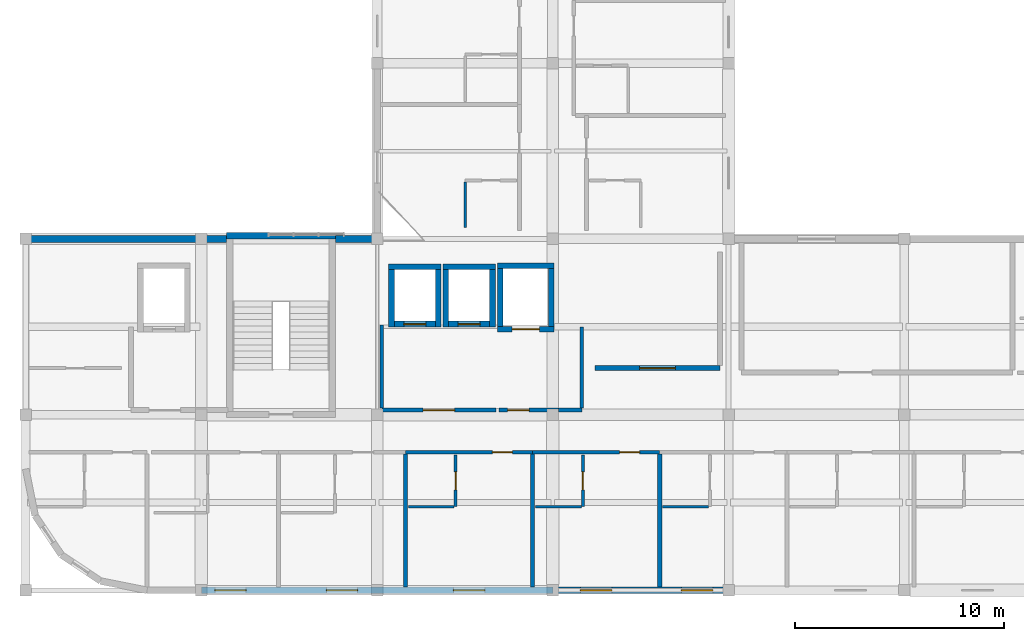
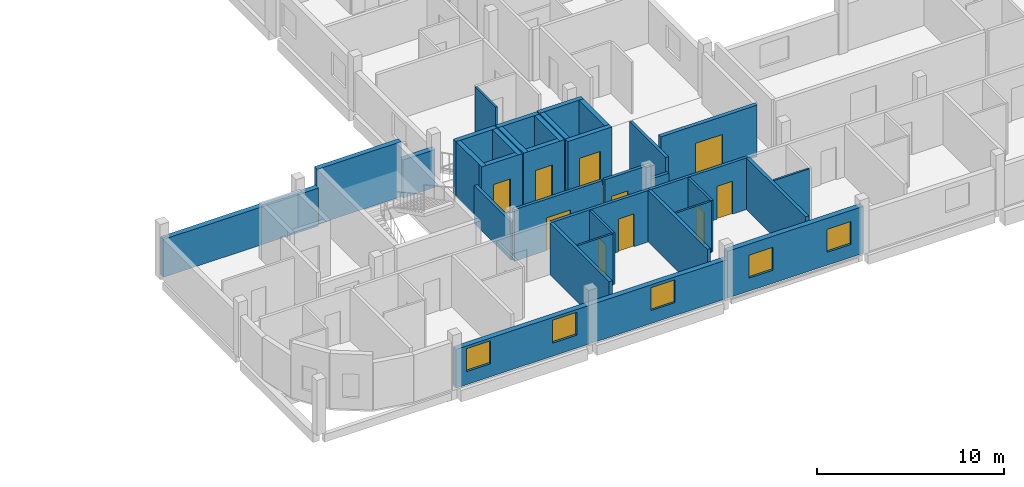
# One storey, part 10 of 20: 34 walls, 10 doors, 5 windows, 15 openings.
"""IFC4 building model written with IfcOpenShell, lengths in metres."""

from ifc_helpers import new_model, si_unit, derived_unit, direction, frame, frame_2d, origin, place, context, subcontext, project, spatial, rectangle, extrude, material, layer, layer_set, type_object, element, fill, save


model = new_model("IFC4")

# Units and contexts
model_context = context("Model", 3, precision=1e-05, world=origin(), true_north=direction((0.0, 1.0)))
body_context = subcontext(model_context, "Body", "Model", "MODEL_VIEW")
ifc_project = project(units=[si_unit("LENGTHUNIT", "METRE"), si_unit("AREAUNIT", "SQUARE_METRE"), si_unit("VOLUMEUNIT", "CUBIC_METRE"), si_unit("PLANEANGLEUNIT", "RADIAN"), si_unit("MASSUNIT", "GRAM", prefix="KILO"), derived_unit("THERMALTRANSMITTANCEUNIT", [(si_unit("POWERUNIT", "WATT"), 1), (si_unit("LENGTHUNIT", "METRE"), -2), (si_unit("THERMODYNAMICTEMPERATUREUNIT", "KELVIN"), -1)])], contexts=[model_context])

# Site, building, storey
site_placement = place(None, origin())
site = spatial("IfcSite", under=ifc_project, at=site_placement, CompositionType="ELEMENT")
building_placement = place(site_placement, origin())
building = spatial("IfcBuilding", under=site, at=building_placement, Name="Barrovel Congress Hotel", CompositionType="ELEMENT")
storey_placement = place(building_placement, frame((0.0, 0.0, 36.300048828125)))
storey = spatial("IfcBuildingStorey", under=building, at=storey_placement, Name="L09", CompositionType="ELEMENT", Elevation=36.300048828125)

# Walls
ifc_material_1 = material(Name="Fired Clay Brick Masonry", Category="masonry")
ifc_layer_1 = layer(ifc_material_1, 0.320068359375)
ifc_layer_set_1 = layer_set([ifc_layer_1], Name="Fired Clay Brick Masonry")
wall_type_1 = type_object("IfcWallType", Name="EW-BRK320", PredefinedType="STANDARD", material=ifc_layer_set_1)
wall_1_placement = place(storey_placement, frame((33.60009765625, 21.0, 0.0), z_axis=(0.0, 0.0, 1.0), x_axis=(-1.0, 0.0, 0.0)))
element("IfcWall", 1, at=wall_1_placement, inside=storey, type_object=wall_type_1, Name="EW:L09:HS-NW-1", PredefinedType="STANDARD", context=body_context, shape_type="SweptSolid", body=[
    extrude(rectangle(XDim=2.0, YDim=0.320068359375, at=frame_2d((1.0, 0.0))), origin(), (0.0, 0.0, 1.0), 2.47998046875),
])
wall_2_placement = place(storey_placement, frame((26.39990234375, 21.0, 0.0), z_axis=(0.0, 0.0, 1.0), x_axis=(-1.0, 0.0, 0.0)))
element("IfcWall", 2, at=wall_2_placement, inside=storey, type_object=wall_type_1, Name="EW:L09:HS-NW-2", PredefinedType="STANDARD", context=body_context, shape_type="SweptSolid", body=[
    extrude(rectangle(XDim=9.599853515625, YDim=0.320068359375, at=frame_2d((4.7998046875, 0.0))), origin(), (0.0, 0.0, 1.0), 2.47998046875),
])

# Wall, openings, windows
wall_3_placement = place(storey_placement, frame((25.199951171875, 4.199951171875, 0.0), z_axis=(0.0, 0.0, 1.0), x_axis=(1.0, 0.0, 0.0)))
wall_3 = element("IfcWall", 3, at=wall_3_placement, inside=storey, type_object=wall_type_1, Name="EW:L09:HS-S:P02", PredefinedType="STANDARD", context=body_context, shape_type="SweptSolid", body=[
    extrude(rectangle(XDim=16.800048828125, YDim=0.320068359375, at=frame_2d((8.39990234375, 0.0))), origin(), (0.0, 0.0, 1.0), 2.530029296875),
])
opening_1_placement = place(wall_3_placement, frame((0.638427734375, 0.0, 0.85009765625)))
opening_1 = element("IfcOpeningElement", 4, at=opening_1_placement, cuts=wall_3, Name="Opening WN-07", PredefinedType="OPENING", context=body_context, shape_type="SweptSolid", body=[
    extrude(rectangle(XDim=1.5, YDim=1.5, at=frame_2d((0.75, 0.75))), frame((0.0, 0.169921875, 0.0), z_axis=(0.0, -1.0, 0.0), x_axis=(1.0, 0.0, 0.0)), (0.0, 0.0, 1.0), 0.340087890625),
])
opening_2_placement = place(wall_3_placement, frame((5.96533203125, 0.0, 0.85009765625)))
opening_2 = element("IfcOpeningElement", 5, at=opening_2_placement, cuts=wall_3, Name="Opening WN-07", PredefinedType="OPENING", context=body_context, shape_type="SweptSolid", body=[
    extrude(rectangle(XDim=1.5, YDim=1.5, at=frame_2d((0.75, 0.75))), frame((0.0, 0.169921875, 0.0), z_axis=(0.0, -1.0, 0.0), x_axis=(1.0, 0.0, 0.0)), (0.0, 0.0, 1.0), 0.340087890625),
])
opening_3_placement = place(wall_3_placement, frame((12.042236328125, 0.0, 0.85009765625)))
opening_3 = element("IfcOpeningElement", 6, at=opening_3_placement, cuts=wall_3, Name="Opening WN-07", PredefinedType="OPENING", context=body_context, shape_type="SweptSolid", body=[
    extrude(rectangle(XDim=1.5, YDim=1.5, at=frame_2d((0.75, 0.75))), frame((0.0, 0.169921875, 0.0), z_axis=(0.0, -1.0, 0.0), x_axis=(1.0, 0.0, 0.0)), (0.0, 0.0, 1.0), 0.340087890625),
])
ifc_material_2 = material(Name="Double Low-E Insulated Glazing", Category="glass")
window_type = type_object("IfcWindowType", Name="WIN-WN-07", PartitioningType="SINGLE_PANEL", PredefinedType="WINDOW", material=ifc_material_2)
window_1_placement = place(opening_1_placement, origin())
window_1 = element("IfcWindow", 7, at=window_1_placement, inside=storey, type_object=window_type, Name="WIN:L09:U02", OverallHeight=1.5, OverallWidth=1.5, PartitioningType="SINGLE_PANEL", PredefinedType="WINDOW", context=body_context, shape_type="SweptSolid", body=[
    extrude(rectangle(XDim=1.5, YDim=1.5, at=frame_2d((0.75, 0.75))), frame((0.0, 0.030029296875, 0.0), z_axis=(0.0, -1.0, 0.0), x_axis=(1.0, 0.0, 0.0)), (0.0, 0.0, 1.0), 0.06005859375),
])
fill(opening_1, window_1)
window_2_placement = place(opening_2_placement, origin())
window_2 = element("IfcWindow", 8, at=window_2_placement, inside=storey, type_object=window_type, Name="WIN:L09:U03", OverallHeight=1.5, OverallWidth=1.5, PartitioningType="SINGLE_PANEL", PredefinedType="WINDOW", context=body_context, shape_type="SweptSolid", body=[
    extrude(rectangle(XDim=1.5, YDim=1.5, at=frame_2d((0.75, 0.75))), frame((0.0, 0.030029296875, 0.0), z_axis=(0.0, -1.0, 0.0), x_axis=(1.0, 0.0, 0.0)), (0.0, 0.0, 1.0), 0.06005859375),
])
fill(opening_2, window_2)
window_3_placement = place(opening_3_placement, origin())
window_3 = element("IfcWindow", 9, at=window_3_placement, inside=storey, type_object=window_type, Name="WIN:L09:U04", OverallHeight=1.5, OverallWidth=1.5, PartitioningType="SINGLE_PANEL", PredefinedType="WINDOW", context=body_context, shape_type="SweptSolid", body=[
    extrude(rectangle(XDim=1.5, YDim=1.5, at=frame_2d((0.75, 0.75))), frame((0.0, 0.030029296875, 0.0), z_axis=(0.0, -1.0, 0.0), x_axis=(1.0, 0.0, 0.0)), (0.0, 0.0, 1.0), 0.06005859375),
])
fill(opening_3, window_3)

wall_4_placement = place(storey_placement, frame((42.0, 4.199951171875, 0.0), z_axis=(0.0, 0.0, 1.0), x_axis=(1.0, 0.0, 0.0)))
wall_4 = element("IfcWall", 10, at=wall_4_placement, inside=storey, type_object=wall_type_1, Name="EW:L09:HS-S:P03", PredefinedType="STANDARD", context=body_context, shape_type="SweptSolid", body=[
    extrude(rectangle(XDim=8.39990234375, YDim=0.320068359375, at=frame_2d((4.199951171875, 0.0))), origin(), (0.0, 0.0, 1.0), 3.070068359375),
])
opening_4_placement = place(wall_4_placement, frame((1.319091796875, 0.0, 0.85009765625)))
opening_4 = element("IfcOpeningElement", 11, at=opening_4_placement, cuts=wall_4, Name="Opening WN-07", PredefinedType="OPENING", context=body_context, shape_type="SweptSolid", body=[
    extrude(rectangle(XDim=1.5, YDim=1.5, at=frame_2d((0.75, 0.75))), frame((0.0, 0.169921875, 0.0), z_axis=(0.0, -1.0, 0.0), x_axis=(1.0, 0.0, 0.0)), (0.0, 0.0, 1.0), 0.340087890625),
])
opening_5_placement = place(wall_4_placement, frame((6.146240234375, 0.0, 0.85009765625)))
opening_5 = element("IfcOpeningElement", 12, at=opening_5_placement, cuts=wall_4, Name="Opening WN-07", PredefinedType="OPENING", context=body_context, shape_type="SweptSolid", body=[
    extrude(rectangle(XDim=1.5, YDim=1.5, at=frame_2d((0.75, 0.75))), frame((0.0, 0.169921875, 0.0), z_axis=(0.0, -1.0, 0.0), x_axis=(1.0, 0.0, 0.0)), (0.0, 0.0, 1.0), 0.340087890625),
])
window_4_placement = place(opening_4_placement, origin())
window_4 = element("IfcWindow", 13, at=window_4_placement, inside=storey, type_object=window_type, Name="WIN:L09:U05", OverallHeight=1.5, OverallWidth=1.5, PartitioningType="SINGLE_PANEL", PredefinedType="WINDOW", context=body_context, shape_type="SweptSolid", body=[
    extrude(rectangle(XDim=1.5, YDim=1.5, at=frame_2d((0.75, 0.75))), frame((0.0, 0.030029296875, 0.0), z_axis=(0.0, -1.0, 0.0), x_axis=(1.0, 0.0, 0.0)), (0.0, 0.0, 1.0), 0.06005859375),
])
fill(opening_4, window_4)
window_5_placement = place(opening_5_placement, origin())
window_5 = element("IfcWindow", 14, at=window_5_placement, inside=storey, type_object=window_type, Name="WIN:L09:U06", OverallHeight=1.5, OverallWidth=1.5, PartitioningType="SINGLE_PANEL", PredefinedType="WINDOW", context=body_context, shape_type="SweptSolid", body=[
    extrude(rectangle(XDim=1.5, YDim=1.5, at=frame_2d((0.75, 0.75))), frame((0.0, 0.030029296875, 0.0), z_axis=(0.0, -1.0, 0.0), x_axis=(1.0, 0.0, 0.0)), (0.0, 0.0, 1.0), 0.06005859375),
])
fill(opening_5, window_5)

# Wall, opening, door
ifc_material_3 = material(Name="Gypsum Acoustic Stud", Category="gypsum")
ifc_layer_2 = layer(ifc_material_3, 0.179931640625)
ifc_layer_set_2 = layer_set([ifc_layer_2], Name="Gypsum Acoustic Stud")
wall_type_2 = type_object("IfcWallType", Name="PW-ACU-180", PredefinedType="PARTITIONING", material=ifc_layer_set_2)
wall_5_placement = place(storey_placement, frame((34.953857421875, 10.800048828125, 0.0), z_axis=(0.0, 0.0, 1.0), x_axis=(1.0, 0.0, 0.0)))
wall_5 = element("IfcWall", 15, at=wall_5_placement, inside=storey, type_object=wall_type_2, Name="PW:L09:U04:COR", PredefinedType="PARTITIONING", context=body_context, shape_type="SweptSolid", body=[
    extrude(rectangle(XDim=6.076904296875, YDim=0.179931640625, at=frame_2d((3.03857421875, 0.0))), origin(), (0.0, 0.0, 1.0), 3.375),
])
opening_6_placement = place(wall_5_placement, frame((4.15478515625, 0.0, 0.0)))
opening_6 = element("IfcOpeningElement", 16, at=opening_6_placement, cuts=wall_5, Name="Opening ID-HTL", PredefinedType="OPENING", context=body_context, shape_type="SweptSolid", body=[
    extrude(rectangle(XDim=0.9599609375, YDim=2.14990234375, at=frame_2d((0.47998046875, 1.074951171875))), frame((0.0, 0.10009765625, 0.0), z_axis=(0.0, -1.0, 0.0), x_axis=(1.0, 0.0, 0.0)), (0.0, 0.0, 1.0), 0.199951171875),
])
ifc_material_4 = material(Name="Solid Oak Acoustic Timber Door", Category="wood")
door_type_1 = type_object("IfcDoorType", Name="IDR-ID-HTL", OperationType="NOTDEFINED", PredefinedType="DOOR", material=ifc_material_4)
door_1_placement = place(opening_6_placement, origin())
door_1 = element("IfcDoor", 17, at=door_1_placement, inside=storey, type_object=door_type_1, Name="DR:L09:U04:ENT", OperationType="SINGLE_SWING_RIGHT", OverallHeight=2.14990234375, OverallWidth=0.9599609375, PredefinedType="DOOR", context=body_context, shape_type="SweptSolid", body=[
    extrude(rectangle(XDim=0.9599609375, YDim=2.14990234375, at=frame_2d((0.47998046875, 1.074951171875))), frame((0.0, 0.02490234375, 0.0), z_axis=(0.0, -1.0, 0.0), x_axis=(1.0, 0.0, 0.0)), (0.0, 0.0, 1.0), 0.050048828125),
])
fill(opening_6, door_1)

wall_6_placement = place(storey_placement, frame((41.03076171875, 10.800048828125, 0.0), z_axis=(0.0, 0.0, 1.0), x_axis=(1.0, 0.0, 0.0)))
wall_6 = element("IfcWall", 18, at=wall_6_placement, inside=storey, type_object=wall_type_2, Name="PW:L09:U05:COR", PredefinedType="PARTITIONING", context=body_context, shape_type="SweptSolid", body=[
    extrude(rectangle(XDim=6.076904296875, YDim=0.179931640625, at=frame_2d((3.03857421875, 0.0))), origin(), (0.0, 0.0, 1.0), 3.375),
])
opening_7_placement = place(wall_6_placement, frame((4.15478515625, 0.0, 0.0)))
opening_7 = element("IfcOpeningElement", 19, at=opening_7_placement, cuts=wall_6, Name="Opening ID-HTL", PredefinedType="OPENING", context=body_context, shape_type="SweptSolid", body=[
    extrude(rectangle(XDim=0.9599609375, YDim=2.14990234375, at=frame_2d((0.47998046875, 1.074951171875))), frame((0.0, 0.10009765625, 0.0), z_axis=(0.0, -1.0, 0.0), x_axis=(1.0, 0.0, 0.0)), (0.0, 0.0, 1.0), 0.199951171875),
])
door_2_placement = place(opening_7_placement, origin())
door_2 = element("IfcDoor", 20, at=door_2_placement, inside=storey, type_object=door_type_1, Name="DR:L09:U05:ENT", OperationType="SINGLE_SWING_RIGHT", OverallHeight=2.14990234375, OverallWidth=0.9599609375, PredefinedType="DOOR", context=body_context, shape_type="SweptSolid", body=[
    extrude(rectangle(XDim=0.9599609375, YDim=2.14990234375, at=frame_2d((0.47998046875, 1.074951171875))), frame((0.0, 0.02490234375, 0.0), z_axis=(0.0, -1.0, 0.0), x_axis=(1.0, 0.0, 0.0)), (0.0, 0.0, 1.0), 0.050048828125),
])
fill(opening_7, door_2)

wall_7_placement = place(storey_placement, frame((33.820068359375, 12.820068359375, 0.0), z_axis=(0.0, 0.0, 1.0), x_axis=(1.0, 0.0, 0.0)))
wall_7 = element("IfcWall", 21, at=wall_7_placement, inside=storey, type_object=wall_type_2, Name="RW:SP:L09:LL-C1:S", PredefinedType="PARTITIONING", context=body_context, shape_type="SweptSolid", body=[
    extrude(rectangle(XDim=5.4599609375, YDim=0.179931640625, at=frame_2d((2.72998046875, 0.0))), origin(), (0.0, 0.0, 1.0), 3.375),
])
opening_8_placement = place(wall_7_placement, frame((1.97998046875, 0.0, 0.0)))
opening_8 = element("IfcOpeningElement", 22, at=opening_8_placement, cuts=wall_7, Name="Opening ID-FFL", PredefinedType="OPENING", context=body_context, shape_type="SweptSolid", body=[
    extrude(rectangle(XDim=1.5, YDim=2.14990234375, at=frame_2d((0.75, 1.074951171875))), frame((0.0, 0.10009765625, 0.0), z_axis=(0.0, -1.0, 0.0), x_axis=(1.0, 0.0, 0.0)), (0.0, 0.0, 1.0), 0.199951171875),
])
ifc_material_5 = material(Name="Painted Hollow-Metal Steel Door", Category="steel")
door_type_2 = type_object("IfcDoorType", Name="IDR-ID-FFL", OperationType="NOTDEFINED", PredefinedType="DOOR", material=ifc_material_5)
door_3_placement = place(opening_8_placement, origin())
door_3 = element("IfcDoor", 23, at=door_3_placement, inside=storey, type_object=door_type_2, Name="RD:SP:L09:LL-C1", OperationType="DOUBLE_DOOR_SINGLE_SWING", OverallHeight=2.14990234375, OverallWidth=1.5, PredefinedType="DOOR", context=body_context, shape_type="SweptSolid", body=[
    extrude(rectangle(XDim=1.5, YDim=2.14990234375, at=frame_2d((0.75, 1.074951171875))), frame((0.0, 0.02490234375, 0.0), z_axis=(0.0, -1.0, 0.0), x_axis=(1.0, 0.0, 0.0)), (0.0, 0.0, 1.0), 0.050048828125),
])
fill(opening_8, door_3)

# Wall
wall_8_placement = place(storey_placement, frame((33.820068359375, 12.909912109375, 0.0), z_axis=(0.0, 0.0, 1.0), x_axis=(0.0, 1.0, 0.0)))
element("IfcWall", 24, at=wall_8_placement, inside=storey, type_object=wall_type_2, Name="RW:SP:L09:LL-C1:W", PredefinedType="PARTITIONING", context=body_context, shape_type="SweptSolid", body=[
    extrude(rectangle(XDim=3.969970703125, YDim=0.179931640625, at=frame_2d((1.98486328125, 0.0))), origin(), (0.0, 0.0, 1.0), 2.47998046875),
])

# Wall, opening, door
wall_9_placement = place(storey_placement, frame((39.419921875, 12.820068359375, 0.0), z_axis=(0.0, 0.0, 1.0), x_axis=(1.0, 0.0, 0.0)))
wall_9 = element("IfcWall", 25, at=wall_9_placement, inside=storey, type_object=wall_type_2, Name="RW:SP:L09:LL-SL1:S", PredefinedType="PARTITIONING", context=body_context, shape_type="SweptSolid", body=[
    extrude(rectangle(XDim=2.85498046875, YDim=0.179931640625, at=frame_2d((1.427490234375, 0.0))), origin(), (0.0, 0.0, 1.0), 3.375),
])
opening_9_placement = place(wall_9_placement, frame((0.419921875, 0.0, 0.0)))
opening_9 = element("IfcOpeningElement", 26, at=opening_9_placement, cuts=wall_9, Name="Opening ID-ACC", PredefinedType="OPENING", context=body_context, shape_type="SweptSolid", body=[
    extrude(rectangle(XDim=1.02001953125, YDim=2.14990234375, at=frame_2d((0.510009765625, 1.074951171875))), frame((0.0, 0.10009765625, 0.0), z_axis=(0.0, -1.0, 0.0), x_axis=(1.0, 0.0, 0.0)), (0.0, 0.0, 1.0), 0.199951171875),
])
door_type_3 = type_object("IfcDoorType", Name="IDR-ID-ACC", OperationType="NOTDEFINED", PredefinedType="DOOR", material=ifc_material_4)
door_4_placement = place(opening_9_placement, origin())
door_4 = element("IfcDoor", 27, at=door_4_placement, inside=storey, type_object=door_type_3, Name="RD:SP:L09:LL-SL1", OperationType="SINGLE_SWING_LEFT", OverallHeight=2.14990234375, OverallWidth=1.02001953125, PredefinedType="DOOR", context=body_context, shape_type="SweptSolid", body=[
    extrude(rectangle(XDim=1.02001953125, YDim=2.14990234375, at=frame_2d((0.510009765625, 1.074951171875))), frame((0.0, 0.02490234375, 0.0), z_axis=(0.0, -1.0, 0.0), x_axis=(1.0, 0.0, 0.0)), (0.0, 0.0, 1.0), 0.050048828125),
])
fill(opening_9, door_4)

# Walls
wall_10_placement = place(storey_placement, frame((43.3798828125, 12.909912109375, 0.0), z_axis=(0.0, 0.0, 1.0), x_axis=(0.0, 1.0, 0.0)))
element("IfcWall", 28, at=wall_10_placement, inside=storey, type_object=wall_type_2, Name="RW:SP:L09:LL-SL1:E", PredefinedType="PARTITIONING", context=body_context, shape_type="SweptSolid", body=[
    extrude(rectangle(XDim=3.8701171875, YDim=0.179931640625, at=frame_2d((1.93505859375, 0.0))), origin(), (0.0, 0.0, 1.0), 3.375),
])
wall_11_placement = place(storey_placement, frame((42.27490234375, 12.820068359375, 0.0), z_axis=(0.0, 0.0, 1.0), x_axis=(1.0, 0.0, 0.0)))
element("IfcWall", 29, at=wall_11_placement, inside=storey, type_object=wall_type_2, Name="RW:SP:L09:LL-SL1:S:P02", PredefinedType="PARTITIONING", context=body_context, shape_type="SweptSolid", body=[
    extrude(rectangle(XDim=1.10498046875, YDim=0.179931640625, at=frame_2d((0.552490234375, 0.0))), origin(), (0.0, 0.0, 1.0), 2.429931640625),
])
ifc_layer_3 = layer(ifc_material_3, 0.1201171875)
ifc_layer_set_3 = layer_set([ifc_layer_3], Name="Gypsum Acoustic Stud")
wall_type_3 = type_object("IfcWallType", Name="PW-INT-120", PredefinedType="PARTITIONING", material=ifc_layer_set_3)
for number, where, z_axis, x_axis, name in (
    (30, (35.09375, 8.199951171875, 0.0), (0.0, 0.0, 1.0), (1.0, 0.0, 0.0), "PW:L09:U04:B2"),
    (31, (41.1708984375, 8.199951171875, 0.0), (0.0, 0.0, 1.0), (1.0, 0.0, 0.0), "PW:L09:U05:B2"),
    (32, (47.247802734375, 8.199951171875, 0.0), (0.0, 0.0, 1.0), (1.0, 0.0, 0.0), "PW:L09:U06:B2"),
    (33, (37.800048828125, 21.5400390625, 0.0), (0.0, 0.0, 1.0), (0.0, 1.0, 0.0), "PW:L09:U25:B2"),
):
    element("IfcWall", number, at=place(storey_placement, frame(where, z_axis=z_axis, x_axis=x_axis)), inside=storey, type_object=wall_type_3, Name=name, PredefinedType="PARTITIONING", context=body_context, shape_type="SweptSolid", body=[
        extrude(rectangle(XDim=2.18994140625, YDim=0.1201171875, at=frame_2d((1.094970703125, 0.0))), origin(), (0.0, 0.0, 1.0), 3.375),
    ])
ifc_layer_4 = layer(ifc_material_1, 0.199951171875)
ifc_layer_set_4 = layer_set([ifc_layer_4], Name="Fired Clay Brick Masonry")
wall_type_4 = type_object("IfcWallType", Name="PW-MAS-200", PredefinedType="PARTITIONING", material=ifc_layer_set_4)
for number, where, z_axis, x_axis, name in (
    (34, (34.953857421875, 4.360107421875, 0.0), (0.0, 0.0, 1.0), (0.0, 1.0, 0.0), "PW:L09:U03:DEM"),
    (35, (41.03076171875, 4.360107421875, 0.0), (0.0, 0.0, 1.0), (0.0, 1.0, 0.0), "PW:L09:U04:DEM"),
    (36, (47.107666015625, 4.360107421875, 0.0), (0.0, 0.0, 1.0), (0.0, 1.0, 0.0), "PW:L09:U05:DEM"),
):
    element("IfcWall", number, at=place(storey_placement, frame(where, z_axis=z_axis, x_axis=x_axis)), inside=storey, type_object=wall_type_4, Name=name, PredefinedType="PARTITIONING", context=body_context, shape_type="SweptSolid", body=[
        extrude(rectangle(XDim=6.349853515625, YDim=0.199951171875, at=frame_2d((3.1748046875, 0.0))), origin(), (0.0, 0.0, 1.0), 3.375),
    ])

# Wall, opening, door
ifc_layer_5 = layer(ifc_material_1, 0.239990234375)
ifc_layer_set_5 = layer_set([ifc_layer_5], Name="Fired Clay Brick Masonry")
wall_type_5 = type_object("IfcWallType", Name="PW-MAS-240", PredefinedType="PARTITIONING", material=ifc_layer_set_5)
wall_12_placement = place(storey_placement, frame((44.02001953125, 14.820068359375, 0.0), z_axis=(0.0, 0.0, 1.0), x_axis=(1.0, 0.0, 0.0)))
wall_12 = element("IfcWall", 37, at=wall_12_placement, inside=storey, type_object=wall_type_5, Name="RW:SP:L09:LINEN:S", PredefinedType="PARTITIONING", context=body_context, shape_type="SweptSolid", body=[
    extrude(rectangle(XDim=5.9599609375, YDim=0.239990234375, at=frame_2d((2.97998046875, 0.0))), origin(), (0.0, 0.0, 1.0), 3.375),
])
opening_10_placement = place(wall_12_placement, frame((2.1298828125, 0.0, 0.0)))
opening_10 = element("IfcOpeningElement", 38, at=opening_10_placement, cuts=wall_12, Name="Opening ID-KIT", PredefinedType="OPENING", context=body_context, shape_type="SweptSolid", body=[
    extrude(rectangle(XDim=1.699951171875, YDim=2.199951171875, at=frame_2d((0.85009765625, 1.10009765625))), frame((0.0, 0.1298828125, 0.0), z_axis=(0.0, -1.0, 0.0), x_axis=(1.0, 0.0, 0.0)), (0.0, 0.0, 1.0), 0.260009765625),
])
ifc_material_6 = material(Name="Brushed Stainless Steel", Category="steel")
door_type_4 = type_object("IfcDoorType", Name="IDR-ID-KIT", OperationType="NOTDEFINED", PredefinedType="DOOR", material=ifc_material_6)
door_5_placement = place(opening_10_placement, origin())
door_5 = element("IfcDoor", 39, at=door_5_placement, inside=storey, type_object=door_type_4, Name="RD:SP:L09:LINEN", OperationType="DOUBLE_DOOR_SINGLE_SWING", OverallHeight=2.199951171875, OverallWidth=1.699951171875, PredefinedType="DOOR", context=body_context, shape_type="SweptSolid", body=[
    extrude(rectangle(XDim=1.699951171875, YDim=2.199951171875, at=frame_2d((0.85009765625, 1.10009765625))), frame((0.0, 0.02490234375, 0.0), z_axis=(0.0, -1.0, 0.0), x_axis=(1.0, 0.0, 0.0)), (0.0, 0.0, 1.0), 0.050048828125),
])
fill(opening_10, door_5)

ifc_material_7 = material(Name="Gypsum Moisture Board", Category="gypsum")
ifc_layer_6 = layer(ifc_material_7, 0.139892578125)
ifc_layer_set_6 = layer_set([ifc_layer_6], Name="Gypsum Moisture Board")
wall_type_6 = type_object("IfcWallType", Name="PW-WET-140", PredefinedType="PARTITIONING", material=ifc_layer_set_6)
wall_13_placement = place(storey_placement, frame((37.353759765625, 8.199951171875, 0.0), z_axis=(0.0, 0.0, 1.0), x_axis=(0.0, 1.0, 0.0)))
wall_13 = element("IfcWall", 40, at=wall_13_placement, inside=storey, type_object=wall_type_6, Name="PW:L09:U04:B1", PredefinedType="PARTITIONING", context=body_context, shape_type="SweptSolid", body=[
    extrude(rectangle(XDim=2.4599609375, YDim=0.139892578125, at=frame_2d((1.22998046875, 0.0))), origin(), (0.0, 0.0, 1.0), 3.375),
])
opening_11_placement = place(wall_13_placement, frame((0.800048828125, 0.0, 0.0)))
opening_11 = element("IfcOpeningElement", 41, at=opening_11_placement, cuts=wall_13, Name="Opening ID-ENS", PredefinedType="OPENING", context=body_context, shape_type="SweptSolid", body=[
    extrude(rectangle(XDim=0.860107421875, YDim=2.10009765625, at=frame_2d((0.43017578125, 1.050048828125))), frame((0.0, 0.080078125, 0.0), z_axis=(0.0, -1.0, 0.0), x_axis=(1.0, 0.0, 0.0)), (0.0, 0.0, 1.0), 0.159912109375),
])
ifc_material_8 = material(Name="Lacquered Timber Moisture Door", Category="wood")
door_type_5 = type_object("IfcDoorType", Name="IDR-ID-ENS", OperationType="NOTDEFINED", PredefinedType="DOOR", material=ifc_material_8)
door_6_placement = place(opening_11_placement, origin())
door_6 = element("IfcDoor", 42, at=door_6_placement, inside=storey, type_object=door_type_5, Name="DR:L09:U04:ENS", OperationType="SINGLE_SWING_LEFT", OverallHeight=2.10009765625, OverallWidth=0.860107421875, PredefinedType="DOOR", context=body_context, shape_type="SweptSolid", body=[
    extrude(rectangle(XDim=0.860107421875, YDim=2.10009765625, at=frame_2d((0.43017578125, 1.050048828125))), frame((0.0, 0.02490234375, 0.0), z_axis=(0.0, -1.0, 0.0), x_axis=(1.0, 0.0, 0.0)), (0.0, 0.0, 1.0), 0.050048828125),
])
fill(opening_11, door_6)

wall_14_placement = place(storey_placement, frame((43.430908203125, 8.199951171875, 0.0), z_axis=(0.0, 0.0, 1.0), x_axis=(0.0, 1.0, 0.0)))
wall_14 = element("IfcWall", 43, at=wall_14_placement, inside=storey, type_object=wall_type_6, Name="PW:L09:U05:B1", PredefinedType="PARTITIONING", context=body_context, shape_type="SweptSolid", body=[
    extrude(rectangle(XDim=2.4599609375, YDim=0.139892578125, at=frame_2d((1.22998046875, 0.0))), origin(), (0.0, 0.0, 1.0), 3.375),
])
opening_12_placement = place(wall_14_placement, frame((0.800048828125, 0.0, 0.0)))
opening_12 = element("IfcOpeningElement", 44, at=opening_12_placement, cuts=wall_14, Name="Opening ID-ENS", PredefinedType="OPENING", context=body_context, shape_type="SweptSolid", body=[
    extrude(rectangle(XDim=0.860107421875, YDim=2.10009765625, at=frame_2d((0.43017578125, 1.050048828125))), frame((0.0, 0.080078125, 0.0), z_axis=(0.0, -1.0, 0.0), x_axis=(1.0, 0.0, 0.0)), (0.0, 0.0, 1.0), 0.159912109375),
])
door_7_placement = place(opening_12_placement, origin())
door_7 = element("IfcDoor", 45, at=door_7_placement, inside=storey, type_object=door_type_5, Name="DR:L09:U05:ENS", OperationType="SINGLE_SWING_LEFT", OverallHeight=2.10009765625, OverallWidth=0.860107421875, PredefinedType="DOOR", context=body_context, shape_type="SweptSolid", body=[
    extrude(rectangle(XDim=0.860107421875, YDim=2.10009765625, at=frame_2d((0.43017578125, 1.050048828125))), frame((0.0, 0.02490234375, 0.0), z_axis=(0.0, -1.0, 0.0), x_axis=(1.0, 0.0, 0.0)), (0.0, 0.0, 1.0), 0.050048828125),
])
fill(opening_12, door_7)

ifc_material_9 = material(Name="Concrete C40", Category="concrete")
ifc_layer_7 = layer(ifc_material_9, 0.280029296875)
ifc_layer_set_7 = layer_set([ifc_layer_7], Name="Concrete C40")
wall_type_7 = type_object("IfcWallType", Name="SW-C40-280", PredefinedType="SHEAR", material=ifc_layer_set_7)
wall_15_placement = place(storey_placement, frame((34.139892578125, 16.929931640625, 0.0), z_axis=(0.0, 0.0, 1.0), x_axis=(1.0, 0.0, 0.0)))
wall_15 = element("IfcWall", 46, at=wall_15_placement, inside=storey, type_object=wall_type_7, Name="LSH:PL-1:L09:S", PredefinedType="SHEAR", context=body_context, shape_type="SweptSolid", body=[
    extrude(rectangle(XDim=2.52001953125, YDim=0.280029296875, at=frame_2d((1.260009765625, 0.0))), origin(), (0.0, 0.0, 1.0), 3.599853515625),
])
opening_13_placement = place(wall_15_placement, frame((0.735107421875, 0.0, 0.0)))
opening_13 = element("IfcOpeningElement", 47, at=opening_13_placement, cuts=wall_15, Name="Opening LD-PAX", PredefinedType="OPENING", context=body_context, shape_type="SweptSolid", body=[
    extrude(rectangle(XDim=1.050048828125, YDim=2.199951171875, at=frame_2d((0.52490234375, 1.10009765625))), frame((0.0, 0.14990234375, 0.0), z_axis=(0.0, -1.0, 0.0), x_axis=(1.0, 0.0, 0.0)), (0.0, 0.0, 1.0), 0.300048828125),
])
door_type_6 = type_object("IfcDoorType", Name="IDR-LD-PAX", OperationType="NOTDEFINED", PredefinedType="DOOR", material=ifc_material_6)
door_8_placement = place(opening_13_placement, origin())
door_8 = element("IfcDoor", 48, at=door_8_placement, inside=storey, type_object=door_type_6, Name="Lift Landing Door LD-PL-1-L09", OperationType="SLIDING_TO_LEFT", OverallHeight=2.199951171875, OverallWidth=1.050048828125, PredefinedType="DOOR", context=body_context, shape_type="SweptSolid", body=[
    extrude(rectangle(XDim=1.050048828125, YDim=2.199951171875, at=frame_2d((0.52490234375, 1.10009765625))), frame((0.0, 0.02490234375, 0.0), z_axis=(0.0, -1.0, 0.0), x_axis=(1.0, 0.0, 0.0)), (0.0, 0.0, 1.0), 0.050048828125),
])
fill(opening_13, door_8)

# Walls
wall_16_placement = place(storey_placement, frame((36.52001953125, 16.7900390625, 0.0), z_axis=(0.0, 0.0, 1.0), x_axis=(0.0, 1.0, 0.0)))
element("IfcWall", 49, at=wall_16_placement, inside=storey, type_object=wall_type_7, Name="LSH:PL-1:L09:E", PredefinedType="SHEAR", context=body_context, shape_type="SweptSolid", body=[
    extrude(rectangle(XDim=3.02001953125, YDim=0.280029296875, at=frame_2d((1.510009765625, 0.0))), origin(), (0.0, 0.0, 1.0), 3.599853515625),
])
wall_17_placement = place(storey_placement, frame((36.659912109375, 19.669921875, 0.0), z_axis=(0.0, 0.0, 1.0), x_axis=(-1.0, 0.0, 0.0)))
element("IfcWall", 50, at=wall_17_placement, inside=storey, type_object=wall_type_7, Name="LSH:PL-1:L09:N", PredefinedType="SHEAR", context=body_context, shape_type="SweptSolid", body=[
    extrude(rectangle(XDim=2.52001953125, YDim=0.280029296875, at=frame_2d((1.260009765625, 0.0))), origin(), (0.0, 0.0, 1.0), 3.599853515625),
])
wall_18_placement = place(storey_placement, frame((34.280029296875, 19.81005859375, 0.0), z_axis=(0.0, 0.0, 1.0), x_axis=(0.0, -1.0, 0.0)))
element("IfcWall", 51, at=wall_18_placement, inside=storey, type_object=wall_type_7, Name="LSH:PL-1:L09:W", PredefinedType="SHEAR", context=body_context, shape_type="SweptSolid", body=[
    extrude(rectangle(XDim=3.02001953125, YDim=0.280029296875, at=frame_2d((1.510009765625, 0.0))), origin(), (0.0, 0.0, 1.0), 3.599853515625),
])

# Wall, opening, door
wall_19_placement = place(storey_placement, frame((36.739990234375, 16.929931640625, 0.0), z_axis=(0.0, 0.0, 1.0), x_axis=(1.0, 0.0, 0.0)))
wall_19 = element("IfcWall", 52, at=wall_19_placement, inside=storey, type_object=wall_type_7, Name="LSH:PL-2:L09:S", PredefinedType="SHEAR", context=body_context, shape_type="SweptSolid", body=[
    extrude(rectangle(XDim=2.52001953125, YDim=0.280029296875, at=frame_2d((1.260009765625, 0.0))), origin(), (0.0, 0.0, 1.0), 3.599853515625),
])
opening_14_placement = place(wall_19_placement, frame((0.735107421875, 0.0, 0.0)))
opening_14 = element("IfcOpeningElement", 53, at=opening_14_placement, cuts=wall_19, Name="Opening LD-PAX", PredefinedType="OPENING", context=body_context, shape_type="SweptSolid", body=[
    extrude(rectangle(XDim=1.050048828125, YDim=2.199951171875, at=frame_2d((0.52490234375, 1.10009765625))), frame((0.0, 0.14990234375, 0.0), z_axis=(0.0, -1.0, 0.0), x_axis=(1.0, 0.0, 0.0)), (0.0, 0.0, 1.0), 0.300048828125),
])
door_9_placement = place(opening_14_placement, origin())
door_9 = element("IfcDoor", 54, at=door_9_placement, inside=storey, type_object=door_type_6, Name="Lift Landing Door LD-PL-2-L09", OperationType="SLIDING_TO_LEFT", OverallHeight=2.199951171875, OverallWidth=1.050048828125, PredefinedType="DOOR", context=body_context, shape_type="SweptSolid", body=[
    extrude(rectangle(XDim=1.050048828125, YDim=2.199951171875, at=frame_2d((0.52490234375, 1.10009765625))), frame((0.0, 0.02490234375, 0.0), z_axis=(0.0, -1.0, 0.0), x_axis=(1.0, 0.0, 0.0)), (0.0, 0.0, 1.0), 0.050048828125),
])
fill(opening_14, door_9)

# Walls
wall_20_placement = place(storey_placement, frame((39.1201171875, 16.7900390625, 0.0), z_axis=(0.0, 0.0, 1.0), x_axis=(0.0, 1.0, 0.0)))
element("IfcWall", 55, at=wall_20_placement, inside=storey, type_object=wall_type_7, Name="LSH:PL-2:L09:E", PredefinedType="SHEAR", context=body_context, shape_type="SweptSolid", body=[
    extrude(rectangle(XDim=3.02001953125, YDim=0.280029296875, at=frame_2d((1.510009765625, 0.0))), origin(), (0.0, 0.0, 1.0), 3.599853515625),
])
wall_21_placement = place(storey_placement, frame((39.260009765625, 19.669921875, 0.0), z_axis=(0.0, 0.0, 1.0), x_axis=(-1.0, 0.0, 0.0)))
element("IfcWall", 56, at=wall_21_placement, inside=storey, type_object=wall_type_7, Name="LSH:PL-2:L09:N", PredefinedType="SHEAR", context=body_context, shape_type="SweptSolid", body=[
    extrude(rectangle(XDim=2.52001953125, YDim=0.280029296875, at=frame_2d((1.260009765625, 0.0))), origin(), (0.0, 0.0, 1.0), 3.599853515625),
])
wall_22_placement = place(storey_placement, frame((36.8798828125, 19.81005859375, 0.0), z_axis=(0.0, 0.0, 1.0), x_axis=(0.0, -1.0, 0.0)))
element("IfcWall", 57, at=wall_22_placement, inside=storey, type_object=wall_type_7, Name="LSH:PL-2:L09:W", PredefinedType="SHEAR", context=body_context, shape_type="SweptSolid", body=[
    extrude(rectangle(XDim=3.02001953125, YDim=0.280029296875, at=frame_2d((1.510009765625, 0.0))), origin(), (0.0, 0.0, 1.0), 3.599853515625),
])

# Wall, opening, door
wall_23_placement = place(storey_placement, frame((39.340087890625, 16.679931640625, 0.0), z_axis=(0.0, 0.0, 1.0), x_axis=(1.0, 0.0, 0.0)))
wall_23 = element("IfcWall", 58, at=wall_23_placement, inside=storey, type_object=wall_type_7, Name="LSH:SL-1:L09:S", PredefinedType="SHEAR", context=body_context, shape_type="SweptSolid", body=[
    extrude(rectangle(XDim=2.719970703125, YDim=0.280029296875, at=frame_2d((1.35986328125, 0.0))), origin(), (0.0, 0.0, 1.0), 3.599853515625),
])
opening_15_placement = place(wall_23_placement, frame((0.7099609375, 0.0, 0.0)))
opening_15 = element("IfcOpeningElement", 59, at=opening_15_placement, cuts=wall_23, Name="Opening LD-SRV", PredefinedType="OPENING", context=body_context, shape_type="SweptSolid", body=[
    extrude(rectangle(XDim=1.300048828125, YDim=2.25, at=frame_2d((0.64990234375, 1.125))), frame((0.0, 0.14990234375, 0.0), z_axis=(0.0, -1.0, 0.0), x_axis=(1.0, 0.0, 0.0)), (0.0, 0.0, 1.0), 0.300048828125),
])
door_type_7 = type_object("IfcDoorType", Name="IDR-LD-SRV", OperationType="NOTDEFINED", PredefinedType="DOOR", material=ifc_material_6)
door_10_placement = place(opening_15_placement, origin())
door_10 = element("IfcDoor", 60, at=door_10_placement, inside=storey, type_object=door_type_7, Name="Lift Landing Door LD-SL-1-L09", OperationType="SLIDING_TO_LEFT", OverallHeight=2.25, OverallWidth=1.300048828125, PredefinedType="DOOR", context=body_context, shape_type="SweptSolid", body=[
    extrude(rectangle(XDim=1.300048828125, YDim=2.25, at=frame_2d((0.64990234375, 1.125))), frame((0.0, 0.02490234375, 0.0), z_axis=(0.0, -1.0, 0.0), x_axis=(1.0, 0.0, 0.0)), (0.0, 0.0, 1.0), 0.050048828125),
])
fill(opening_15, door_10)

# Walls
wall_24_placement = place(storey_placement, frame((41.919921875, 16.5400390625, 0.0), z_axis=(0.0, 0.0, 1.0), x_axis=(0.0, 1.0, 0.0)))
element("IfcWall", 61, at=wall_24_placement, inside=storey, type_object=wall_type_7, Name="LSH:SL-1:L09:E", PredefinedType="SHEAR", context=body_context, shape_type="SweptSolid", body=[
    extrude(rectangle(XDim=3.320068359375, YDim=0.280029296875, at=frame_2d((1.66015625, 0.0))), origin(), (0.0, 0.0, 1.0), 3.599853515625),
])
wall_25_placement = place(storey_placement, frame((42.06005859375, 19.719970703125, 0.0), z_axis=(0.0, 0.0, 1.0), x_axis=(-1.0, 0.0, 0.0)))
element("IfcWall", 62, at=wall_25_placement, inside=storey, type_object=wall_type_7, Name="LSH:SL-1:L09:N", PredefinedType="SHEAR", context=body_context, shape_type="SweptSolid", body=[
    extrude(rectangle(XDim=2.719970703125, YDim=0.280029296875, at=frame_2d((1.35986328125, 0.0))), origin(), (0.0, 0.0, 1.0), 3.599853515625),
])
wall_26_placement = place(storey_placement, frame((39.47998046875, 19.860107421875, 0.0), z_axis=(0.0, 0.0, 1.0), x_axis=(0.0, -1.0, 0.0)))
element("IfcWall", 63, at=wall_26_placement, inside=storey, type_object=wall_type_7, Name="LSH:SL-1:L09:W", PredefinedType="SHEAR", context=body_context, shape_type="SweptSolid", body=[
    extrude(rectangle(XDim=3.320068359375, YDim=0.280029296875, at=frame_2d((1.66015625, 0.0))), origin(), (0.0, 0.0, 1.0), 3.599853515625),
])
ifc_layer_8 = layer(ifc_material_9, 0.300048828125)
ifc_layer_set_8 = layer_set([ifc_layer_8], Name="Concrete C40")
wall_type_8 = type_object("IfcWallType", Name="SW-C40-300", PredefinedType="SHEAR", material=ifc_layer_set_8)
wall_27_placement = place(storey_placement, frame((31.60009765625, 21.14990234375, 0.0), z_axis=(0.0, 0.0, 1.0), x_axis=(-1.0, 0.0, 0.0)))
element("IfcWall", 64, at=wall_27_placement, inside=storey, type_object=wall_type_8, Name="SHW:XS-01:L09:N", PredefinedType="SHEAR", context=body_context, shape_type="SweptSolid", body=[
    extrude(rectangle(XDim=5.2001953125, YDim=0.300048828125, at=frame_2d((2.60009765625, 0.0))), origin(), (0.0, 0.0, 1.0), 3.599853515625),
])

save(model, "model.ifc")
